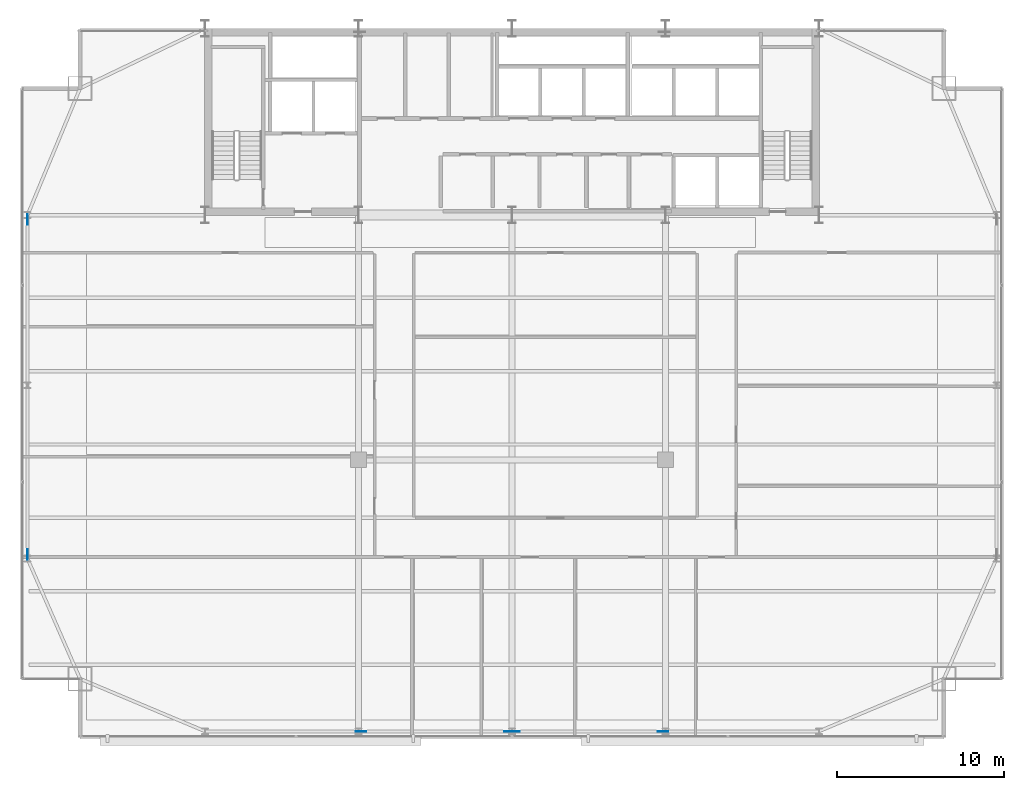
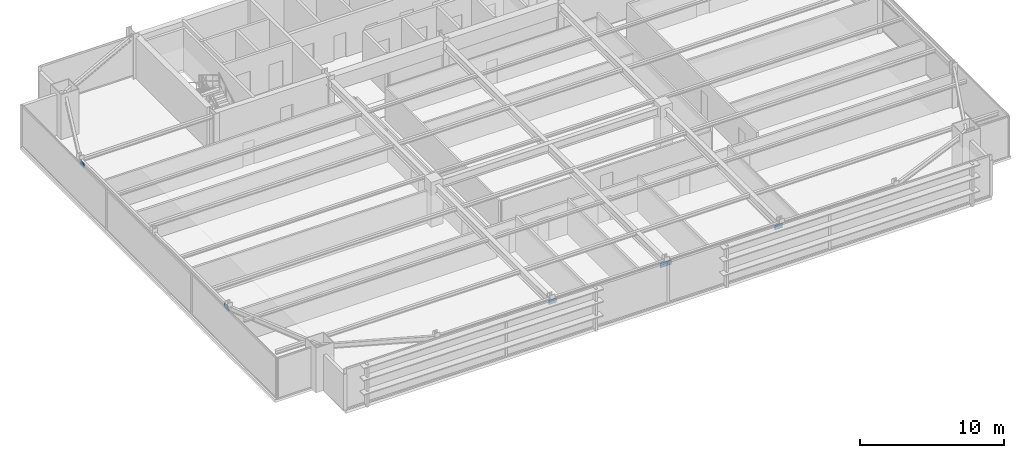
# One storey, part 27 of 33: 6 plates.
"""IFC4 building model written with IfcOpenShell, lengths in metres."""

from ifc_helpers import new_model, si_unit, direction, frame, origin, origin_2d, place, context, subcontext, project, spatial, rectangle, extrude, source, transform, mapped, material, layer, layer_set, type_object, type_shapes, element, save


model = new_model("IFC4")

# Units and contexts
model_context = context("Model", 3, precision=1e-05, world=origin(), true_north=direction((0.0, 1.0)))
body_context = subcontext(model_context, "Body", "Model", "MODEL_VIEW")
ifc_project = project(units=[si_unit("LENGTHUNIT", "METRE"), si_unit("AREAUNIT", "SQUARE_METRE"), si_unit("VOLUMEUNIT", "CUBIC_METRE"), si_unit("PLANEANGLEUNIT", "RADIAN"), si_unit("MASSUNIT", "GRAM", prefix="KILO")], contexts=[model_context])

# Site, building, storey
site_placement = place(None, origin())
site = spatial("IfcSite", under=ifc_project, at=site_placement, CompositionType="ELEMENT")
building_placement = place(site_placement, origin())
building = spatial("IfcBuilding", under=site, at=building_placement, Name="Varnel Quay Broadcast Tower", CompositionType="ELEMENT")
storey_placement = place(building_placement, frame((0.0, 0.0, 137.199951171875)))
storey = spatial("IfcBuildingStorey", under=building, at=storey_placement, Name="L33", CompositionType="ELEMENT", Elevation=137.199951171875)

# Plates
ifc_material = material(Name="Structural Steel CSA G40.21 350WT", Category="steel")
ifc_layer = layer(ifc_material, 0.031982421875, Name="Structural Steel CSA G40.21 350WT")
ifc_layer_set = layer_set([ifc_layer], Name="Structural Steel CSA G40.21 350WT")
plate_type = type_object("IfcPlateType", Name="Plate_EndCap", PredefinedType="USERDEFINED", material=ifc_layer_set)
shared_shape = source(origin(), body_context, "Body", "SweptSolid", [
    extrude(rectangle(XDim=0.6201171875, YDim=0.031982421875, at=origin_2d()), origin(), (0.0, 0.0, 1.0), 0.3798828125),
])
type_shapes(plate_type, [shared_shape])
for number, where, z_axis, x_axis, name in (
    (1, (33.85595703125, 4.64990234375, 2.91845703125), (0.0, 0.0, 1.0), (1.0, 0.0, 0.0), "Zone 2 Mega-Brace S-C1T3 Diag A End Connection Plate P1"),
    (2, (24.944091796875, 4.64990234375, 2.91845703125), (0.0, 0.0, 1.0), (1.0, 0.0, 0.0), "Zone 2 Mega-Brace S-C1T3 Diag B2 End Connection Plate P1"),
    (3, (43.055908203125, 4.64990234375, 2.91845703125), (0.0, 0.0, 1.0), (1.0, 0.0, 0.0), "Zone 2 Mega-Brace S-C2T3 Diag A End Connection Plate P1"),
    (4, (34.14404296875, 4.64990234375, 2.91845703125), (0.0, 0.0, 1.0), (1.0, 0.0, 0.0), "Zone 2 Mega-Brace S-C2T3 Diag B2 End Connection Plate P1"),
    (5, (4.949951171875, 35.343017578125, 2.990234375), (0.0, 0.0, 1.0), (0.0, 1.0, 0.0), "Zone 2 Mega-Brace W-FT3 Diag A End Connection Plate P1"),
    (6, (4.949951171875, 15.257080078125, 2.990234375), (0.0, 0.0, 1.0), (0.0, 1.0, 0.0), "Zone 2 Mega-Brace W-FT3 Diag B2 End Connection Plate P1"),
):
    element("IfcPlate", number, at=place(storey_placement, frame(where, z_axis=z_axis, x_axis=x_axis)), inside=storey, type_object=plate_type, Name=name, ObjectType="CAP_PLATE", PredefinedType="USERDEFINED", context=body_context, shape_type="MappedRepresentation", body=[
        mapped(shared_shape, transform((0.0, 0.0, 0.0), x_axis=(1.0, 0.0, 0.0), y_axis=(0.0, 1.0, 0.0), z_axis=(0.0, 0.0, 1.0), scale=1.0)),
    ])

save(model, "model.ifc")
